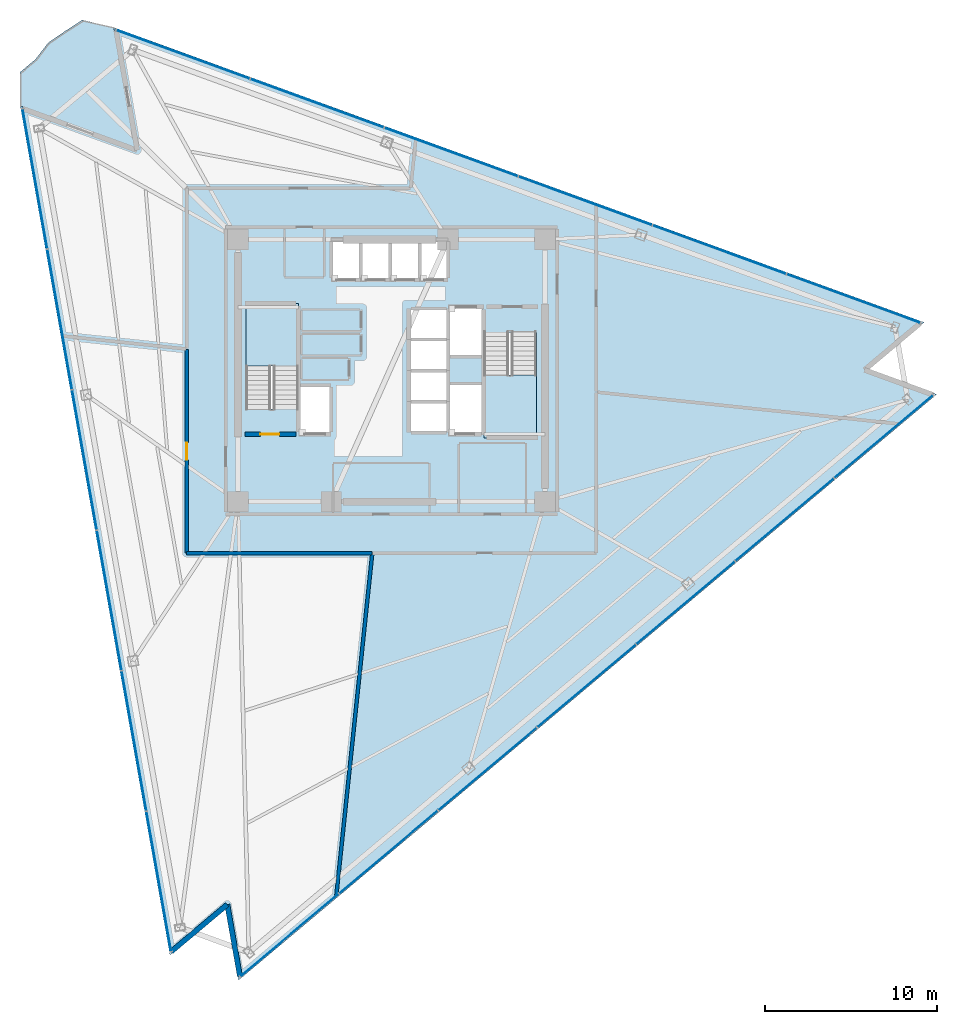
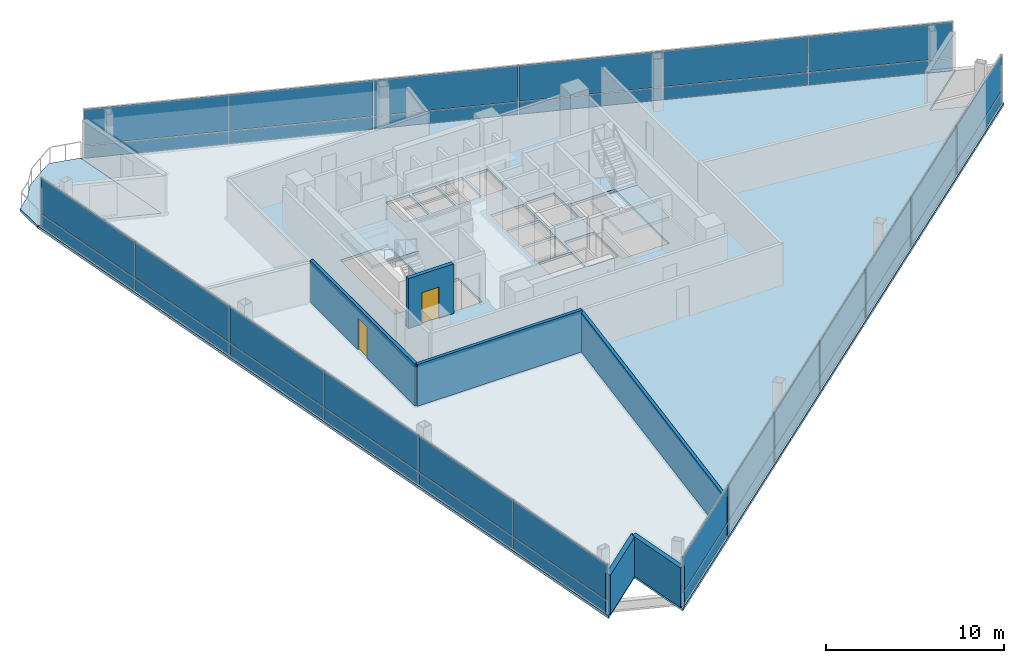
# One storey, part 9 of 17: 38 plates, 6 walls, 4 slabs, 2 doors, 2 openings, 5 elements without a shape of their own.
"""IFC4 building model written with IfcOpenShell, lengths in metres."""

from ifc_helpers import new_model, si_unit, direction, frame, frame_2d, origin, origin_2d, place, context, subcontext, project, spatial, polyline, rectangle, outline, extrude, material, layer, layer_set, type_object, element, fill, aggregate, save


model = new_model("IFC4")

# Units and contexts
model_context = context("Model", 3, precision=1e-05, world=origin(), true_north=direction((0.0, 1.0)))
body_context = subcontext(model_context, "Body", "Model", "MODEL_VIEW")
ifc_project = project(units=[si_unit("LENGTHUNIT", "METRE"), si_unit("AREAUNIT", "SQUARE_METRE"), si_unit("VOLUMEUNIT", "CUBIC_METRE"), si_unit("PLANEANGLEUNIT", "RADIAN"), si_unit("MASSUNIT", "GRAM", prefix="KILO")], contexts=[model_context])

# Site, building, storey
site_placement = place(None, origin())
site = spatial("IfcSite", under=ifc_project, at=site_placement, CompositionType="ELEMENT")
building_placement = place(site_placement, origin())
building = spatial("IfcBuilding", under=site, at=building_placement, Name="Tharavind Bronze Gate", CompositionType="ELEMENT")
storey_placement = place(building_placement, frame((0.0, 0.0, 184.89990234375)))
storey = spatial("IfcBuildingStorey", under=building, at=storey_placement, Name="L47", CompositionType="ELEMENT", Elevation=184.89990234375)

# Curtain wall, plates
ifc_material_1 = material(Name="Anodised Bronze Aluminium", Category="aluminium")
ifc_layer_1 = layer(ifc_material_1, 0.219970703125)
ifc_layer_set_1 = layer_set([ifc_layer_1], Name="Anodised Bronze Aluminium")
curtain_wall_type = type_object("IfcCurtainWallType", Name="UNITISED CURTAIN WALL MID OFFICE", PredefinedType="USERDEFINED", material=ifc_layer_set_1)
curtain_wall_1_placement = place(storey_placement, origin())
curtain_wall_1 = element("IfcCurtainWall", 1, at=curtain_wall_1_placement, inside=storey, type_object=curtain_wall_type, Name="L47 unitised curtain wall mid office CW-L47-S1", ObjectType="UNITISED CURTAIN WALL", PredefinedType="USERDEFINED")
ifc_material_2 = material(Name="Patinated Bronze Alloy Sheet", Category="bronze")
ifc_layer_2 = layer(ifc_material_2, 0.01611328125)
ifc_layer_set_2 = layer_set([ifc_layer_2], Name="Patinated Bronze Alloy Sheet")
plate_type_1 = type_object("IfcPlateType", Name="BRONZE SPANDREL CLADDING PANEL 16", PredefinedType="CURTAIN_PANEL", material=ifc_layer_set_2)
plate_1_placement = place(storey_placement, frame((-20.678466796875, 11.118408203125, 0.02685546875), z_axis=(0.0, 0.0, 1.0), x_axis=(0.173648177667, -0.984807753012, 0.0)))
plate_1 = element("IfcPlate", 2, at=plate_1_placement, type_object=plate_type_1, Name="CW-L47-S1 bronze spandrel panel 1", PredefinedType="CURTAIN_PANEL", context=body_context, shape_type="SweptSolid", body=[
    extrude(rectangle(XDim=8.220458984375, YDim=0.01611328125, at=origin_2d()), origin(), (0.0, 0.0, 1.0), 0.846923828125),
])
plate_2_placement = place(storey_placement, frame((-19.24169921875, 2.970703125, 0.02685546875), z_axis=(0.0, 0.0, 1.0), x_axis=(0.173648177667, -0.984807753012, 0.0)))
plate_2 = element("IfcPlate", 3, at=plate_2_placement, type_object=plate_type_1, Name="CW-L47-S1 bronze spandrel panel 2", PredefinedType="CURTAIN_PANEL", context=body_context, shape_type="SweptSolid", body=[
    extrude(rectangle(XDim=8.220458984375, YDim=0.01611328125, at=origin_2d()), origin(), (0.0, 0.0, 1.0), 0.846923828125),
])
plate_3_placement = place(storey_placement, frame((-17.80517578125, -5.177001953125, 0.02685546875), z_axis=(0.0, 0.0, 1.0), x_axis=(0.173648177667, -0.984807753012, 0.0)))
plate_3 = element("IfcPlate", 4, at=plate_3_placement, type_object=plate_type_1, Name="CW-L47-S1 bronze spandrel panel 3", PredefinedType="CURTAIN_PANEL", context=body_context, shape_type="SweptSolid", body=[
    extrude(rectangle(XDim=8.220458984375, YDim=0.01611328125, at=origin_2d()), origin(), (0.0, 0.0, 1.0), 0.846923828125),
])
plate_4_placement = place(storey_placement, frame((-16.368408203125, -13.32470703125, 0.02685546875), z_axis=(0.0, 0.0, 1.0), x_axis=(0.173648177667, -0.984807753012, 0.0)))
plate_4 = element("IfcPlate", 5, at=plate_4_placement, type_object=plate_type_1, Name="CW-L47-S1 bronze spandrel panel 4", PredefinedType="CURTAIN_PANEL", context=body_context, shape_type="SweptSolid", body=[
    extrude(rectangle(XDim=8.220458984375, YDim=0.01611328125, at=origin_2d()), origin(), (0.0, 0.0, 1.0), 0.846923828125),
])
plate_5_placement = place(storey_placement, frame((-14.931884765625, -21.472412109375, 0.02685546875), z_axis=(0.0, 0.0, 1.0), x_axis=(0.173648177667, -0.984807753012, 0.0)))
plate_5 = element("IfcPlate", 6, at=plate_5_placement, type_object=plate_type_1, Name="CW-L47-S1 bronze spandrel panel 5", PredefinedType="CURTAIN_PANEL", context=body_context, shape_type="SweptSolid", body=[
    extrude(rectangle(XDim=8.220458984375, YDim=0.01611328125, at=origin_2d()), origin(), (0.0, 0.0, 1.0), 0.846923828125),
])
plate_6_placement = place(storey_placement, frame((-13.4951171875, -29.6201171875, 0.02685546875), z_axis=(0.0, 0.0, 1.0), x_axis=(0.173648177667, -0.984807753012, 0.0)))
plate_6 = element("IfcPlate", 7, at=plate_6_placement, type_object=plate_type_1, Name="CW-L47-S1 bronze spandrel panel 6", PredefinedType="CURTAIN_PANEL", context=body_context, shape_type="SweptSolid", body=[
    extrude(rectangle(XDim=8.220458984375, YDim=0.01611328125, at=origin_2d()), origin(), (0.0, 0.0, 1.0), 0.846923828125),
])

curtain_wall_2_placement = place(storey_placement, origin())
curtain_wall_2 = element("IfcCurtainWall", 8, at=curtain_wall_2_placement, inside=storey, type_object=curtain_wall_type, Name="L47 unitised curtain wall mid office CW-L47-S2", ObjectType="UNITISED CURTAIN WALL", PredefinedType="USERDEFINED")
plate_7_placement = place(storey_placement, frame((-5.913818359375, -32.737548828125, 0.02685546875), z_axis=(0.0, 0.0, 1.0), x_axis=(0.766043321242, 0.642788946685, 0.0)))
plate_7 = element("IfcPlate", 9, at=plate_7_placement, type_object=plate_type_1, Name="CW-L47-S2 bronze spandrel panel 1", PredefinedType="CURTAIN_PANEL", context=body_context, shape_type="SweptSolid", body=[
    extrude(rectangle(XDim=7.443115234375, YDim=0.01611328125, at=origin_2d()), origin(), (0.0, 0.0, 1.0), 0.846923828125),
])
plate_8_placement = place(storey_placement, frame((-0.171630859375, -27.919189453125, 0.02685546875), z_axis=(0.0, 0.0, 1.0), x_axis=(0.766043321242, 0.642788946685, 0.0)))
plate_8 = element("IfcPlate", 10, at=plate_8_placement, type_object=plate_type_1, Name="CW-L47-S2 bronze spandrel panel 2", PredefinedType="CURTAIN_PANEL", context=body_context, shape_type="SweptSolid", body=[
    extrude(rectangle(XDim=7.443115234375, YDim=0.01611328125, at=origin_2d()), origin(), (0.0, 0.0, 1.0), 0.846923828125),
])
plate_9_placement = place(storey_placement, frame((5.57080078125, -23.100830078125, 0.02685546875), z_axis=(0.0, 0.0, 1.0), x_axis=(0.766043321242, 0.642788946685, 0.0)))
plate_9 = element("IfcPlate", 11, at=plate_9_placement, type_object=plate_type_1, Name="CW-L47-S2 bronze spandrel panel 3", PredefinedType="CURTAIN_PANEL", context=body_context, shape_type="SweptSolid", body=[
    extrude(rectangle(XDim=7.443115234375, YDim=0.01611328125, at=origin_2d()), origin(), (0.0, 0.0, 1.0), 0.846923828125),
])
plate_10_placement = place(storey_placement, frame((11.31298828125, -18.282470703125, 0.02685546875), z_axis=(0.0, 0.0, 1.0), x_axis=(0.766043321242, 0.642788946685, 0.0)))
plate_10 = element("IfcPlate", 12, at=plate_10_placement, type_object=plate_type_1, Name="CW-L47-S2 bronze spandrel panel 4", PredefinedType="CURTAIN_PANEL", context=body_context, shape_type="SweptSolid", body=[
    extrude(rectangle(XDim=7.443115234375, YDim=0.01611328125, at=origin_2d()), origin(), (0.0, 0.0, 1.0), 0.846923828125),
])
plate_11_placement = place(storey_placement, frame((17.055419921875, -13.464111328125, 0.02685546875), z_axis=(0.0, 0.0, 1.0), x_axis=(0.766043321242, 0.642788946685, 0.0)))
plate_11 = element("IfcPlate", 13, at=plate_11_placement, type_object=plate_type_1, Name="CW-L47-S2 bronze spandrel panel 5", PredefinedType="CURTAIN_PANEL", context=body_context, shape_type="SweptSolid", body=[
    extrude(rectangle(XDim=7.443115234375, YDim=0.01611328125, at=origin_2d()), origin(), (0.0, 0.0, 1.0), 0.846923828125),
])
plate_12_placement = place(storey_placement, frame((22.797607421875, -8.645751953125, 0.02685546875), z_axis=(0.0, 0.0, 1.0), x_axis=(0.766043321242, 0.642788946685, 0.0)))
plate_12 = element("IfcPlate", 14, at=plate_12_placement, type_object=plate_type_1, Name="CW-L47-S2 bronze spandrel panel 6", PredefinedType="CURTAIN_PANEL", context=body_context, shape_type="SweptSolid", body=[
    extrude(rectangle(XDim=7.443115234375, YDim=0.01611328125, at=origin_2d()), origin(), (0.0, 0.0, 1.0), 0.846923828125),
])
plate_13_placement = place(storey_placement, frame((28.539794921875, -3.827392578125, 0.02685546875), z_axis=(0.0, 0.0, 1.0), x_axis=(0.766043321242, 0.642788946685, 0.0)))
plate_13 = element("IfcPlate", 15, at=plate_13_placement, type_object=plate_type_1, Name="CW-L47-S2 bronze spandrel panel 7", PredefinedType="CURTAIN_PANEL", context=body_context, shape_type="SweptSolid", body=[
    extrude(rectangle(XDim=7.443115234375, YDim=0.01611328125, at=origin_2d()), origin(), (0.0, 0.0, 1.0), 0.846923828125),
])

curtain_wall_3_placement = place(storey_placement, origin())
curtain_wall_3 = element("IfcCurtainWall", 16, at=curtain_wall_3_placement, inside=storey, type_object=curtain_wall_type, Name="L47 unitised curtain wall mid office CW-L47-S3", ObjectType="UNITISED CURTAIN WALL", PredefinedType="USERDEFINED")
plate_14_placement = place(storey_placement, frame((26.7861328125, 4.18017578125, 0.02685546875), z_axis=(0.0, 0.0, 1.0), x_axis=(-0.939692023847, 0.342021783398, 0.0)))
plate_14 = element("IfcPlate", 17, at=plate_14_placement, type_object=plate_type_1, Name="CW-L47-S3 bronze spandrel panel 1", PredefinedType="CURTAIN_PANEL", context=body_context, shape_type="SweptSolid", body=[
    extrude(rectangle(XDim=8.220458984375, YDim=0.01611328125, at=origin_2d()), origin(), (0.0, 0.0, 1.0), 0.846923828125),
])
plate_15_placement = place(storey_placement, frame((19.01171875, 7.009765625, 0.02685546875), z_axis=(0.0, 0.0, 1.0), x_axis=(-0.939692023847, 0.342021783398, 0.0)))
plate_15 = element("IfcPlate", 18, at=plate_15_placement, type_object=plate_type_1, Name="CW-L47-S3 bronze spandrel panel 2", PredefinedType="CURTAIN_PANEL", context=body_context, shape_type="SweptSolid", body=[
    extrude(rectangle(XDim=8.220458984375, YDim=0.01611328125, at=origin_2d()), origin(), (0.0, 0.0, 1.0), 0.846923828125),
])
plate_16_placement = place(storey_placement, frame((11.2373046875, 9.839599609375, 0.02685546875), z_axis=(0.0, 0.0, 1.0), x_axis=(-0.939692023847, 0.342021783398, 0.0)))
plate_16 = element("IfcPlate", 19, at=plate_16_placement, type_object=plate_type_1, Name="CW-L47-S3 bronze spandrel panel 3", PredefinedType="CURTAIN_PANEL", context=body_context, shape_type="SweptSolid", body=[
    extrude(rectangle(XDim=8.220458984375, YDim=0.01611328125, at=origin_2d()), origin(), (0.0, 0.0, 1.0), 0.846923828125),
])
plate_17_placement = place(storey_placement, frame((3.462890625, 12.669189453125, 0.02685546875), z_axis=(0.0, 0.0, 1.0), x_axis=(-0.939692023847, 0.342021783398, 0.0)))
plate_17 = element("IfcPlate", 20, at=plate_17_placement, type_object=plate_type_1, Name="CW-L47-S3 bronze spandrel panel 4", PredefinedType="CURTAIN_PANEL", context=body_context, shape_type="SweptSolid", body=[
    extrude(rectangle(XDim=8.220458984375, YDim=0.01611328125, at=origin_2d()), origin(), (0.0, 0.0, 1.0), 0.846923828125),
])
plate_18_placement = place(storey_placement, frame((-4.3115234375, 15.498779296875, 0.02685546875), z_axis=(0.0, 0.0, 1.0), x_axis=(-0.939692023847, 0.342021783398, 0.0)))
plate_18 = element("IfcPlate", 21, at=plate_18_placement, type_object=plate_type_1, Name="CW-L47-S3 bronze spandrel panel 5", PredefinedType="CURTAIN_PANEL", context=body_context, shape_type="SweptSolid", body=[
    extrude(rectangle(XDim=8.220458984375, YDim=0.01611328125, at=origin_2d()), origin(), (0.0, 0.0, 1.0), 0.846923828125),
])
plate_19_placement = place(storey_placement, frame((-12.0859375, 18.32861328125, 0.02685546875), z_axis=(0.0, 0.0, 1.0), x_axis=(-0.939692023847, 0.342021783398, 0.0)))
plate_19 = element("IfcPlate", 22, at=plate_19_placement, type_object=plate_type_1, Name="CW-L47-S3 bronze spandrel panel 6", PredefinedType="CURTAIN_PANEL", context=body_context, shape_type="SweptSolid", body=[
    extrude(rectangle(XDim=8.220458984375, YDim=0.01611328125, at=origin_2d()), origin(), (0.0, 0.0, 1.0), 0.846923828125),
])

# Slab
ifc_material_3 = material(Name="Concrete C40/50", Category="concrete")
ifc_layer_3 = layer(ifc_material_3, 0.179931640625)
ifc_layer_set_3 = layer_set([ifc_layer_3], Name="Concrete C40/50")
slab_type_1 = type_object("IfcSlabType", Name="EXTERIOR BALCONY SLAB 180", PredefinedType="FLOOR", material=ifc_layer_set_3)
slab_1_placement = place(storey_placement, frame((0.0, 0.0, -0.179931640625)))
element("IfcSlab", 23, at=slab_1_placement, inside=storey, type_object=slab_type_1, Name="L47 northeast tree balcony slab", PredefinedType="FLOOR", context=body_context, shape_type="SweptSolid", body=[
    extrude(outline(polyline([(-17.92333984375, 20.325927734375), (-18.92236328125, 19.680908203125), (-19.8984375, 19.00830078125), (-20.635009765625, 18.050537109375), (-21.5390625, 17.2919921875), (-21.525390625, 15.345458984375), (-14.872314453125, 12.924072265625), (-16.101806640625, 19.896484375), (-17.92333984375, 20.325927734375)])), origin(), (0.0, 0.0, 1.0), 0.179931640625),
])

# Stair, slab
stair_type = type_object("IfcStairType", Name="CORE HALF TURN STAIR 1450", PredefinedType="HALF_TURN_STAIR", material=ifc_material_3)
stair_1_placement = place(storey_placement, origin())
stair_1 = element("IfcStair", 24, at=stair_1_placement, inside=storey, type_object=stair_type, Name="L47 Protected Exit Stair ST1", PredefinedType="HALF_TURN_STAIR")
ifc_layer_4 = layer(ifc_material_3, 0.199951171875)
ifc_layer_set_4 = layer_set([ifc_layer_4], Name="Concrete C40/50")
slab_type_2 = type_object("IfcSlabType", Name="STAIR LANDING SLAB 200", PredefinedType="LANDING", material=ifc_layer_set_4)
slab_2_placement = place(storey_placement, frame((0.0, 0.0, 1.60009765625)))
slab_2 = element("IfcSlab", 25, at=slab_2_placement, type_object=slab_type_2, Name="ST1 landing 1", PredefinedType="LANDING", context=body_context, shape_type="SweptSolid", body=[
    extrude(outline(polyline([(-5.39990234375, 0.27001953125), (-5.39990234375, 3.89990234375), (-8.449951171875, 3.89990234375), (-8.449951171875, 0.27001953125), (-5.39990234375, 0.27001953125)])), origin(), (0.0, 0.0, 1.0), 0.199951171875),
])
aggregate(stair_1, [slab_2])

stair_2_placement = place(storey_placement, origin())
stair_2 = element("IfcStair", 26, at=stair_2_placement, inside=storey, type_object=stair_type, Name="L47 Protected Exit Stair ST2", PredefinedType="HALF_TURN_STAIR")
slab_3_placement = place(storey_placement, frame((0.0, 0.0, 1.60009765625)))
slab_3 = element("IfcSlab", 27, at=slab_3_placement, type_object=slab_type_2, Name="ST2 landing 1", PredefinedType="LANDING", context=body_context, shape_type="SweptSolid", body=[
    extrude(outline(polyline([(5.35009765625, -0.27001953125), (5.35009765625, -3.89990234375), (8.39990234375, -3.89990234375), (8.39990234375, -0.27001953125), (5.35009765625, -0.27001953125)])), origin(), (0.0, 0.0, 1.0), 0.199951171875),
])
aggregate(stair_2, [slab_3])

# Slab
ifc_layer_5 = layer(ifc_material_3, 0.179931640625)
ifc_layer_set_5 = layer_set([ifc_layer_5], Name="Concrete C40/50")
slab_type_3 = type_object("IfcSlabType", Name="STRUCTURAL FLOOR SLAB 180", PredefinedType="FLOOR", material=ifc_layer_set_5)
slab_4_placement = place(storey_placement, frame((0.0, 0.0, -0.179931640625)))
element("IfcSlab", 28, at=slab_4_placement, inside=storey, type_object=slab_type_3, Name="L47 main structural floor slab", PredefinedType="FLOOR", context=body_context, shape_type="SweptSolid", body=[
    extrude(outline(polyline([(-16.101806640625, 19.896484375), (-14.872314453125, 12.924072265625), (-21.525390625, 15.345458984375), (-12.84521484375, -33.881591796875), (-9.591064453125, -31.151123046875), (-8.853515625, -35.334716796875), (31.60791015625, -1.38330078125), (27.6162109375, 0.069580078125), (30.870361328125, 2.800048828125), (-16.101806640625, 19.896484375)]), holes=[polyline([(-5.39990234375, -2.215087890625), (-5.39990234375, 3.89990234375), (-8.449951171875, 3.89990234375), (-8.449951171875, -2.215087890625), (-5.39990234375, -2.215087890625)]), polyline([(5.35009765625, 2.215087890625), (5.35009765625, -3.89990234375), (8.39990234375, -3.89990234375), (8.39990234375, 2.215087890625), (5.35009765625, 2.215087890625)]), polyline([(-3.419921875, 5.330078125), (-1.867431640625, 5.330078125), (-1.867431640625, 7.52001953125), (-3.419921875, 7.52001953125), (-3.419921875, 5.330078125)]), polyline([(-1.70751953125, 5.330078125), (-0.155029296875, 5.330078125), (-0.155029296875, 7.52001953125), (-1.70751953125, 7.52001953125), (-1.70751953125, 5.330078125)]), polyline([(0.0048828125, 5.330078125), (1.5576171875, 5.330078125), (1.5576171875, 7.52001953125), (0.0048828125, 7.52001953125), (0.0048828125, 5.330078125)]), polyline([(1.717529296875, 5.330078125), (3.199951171875, 5.330078125), (3.199951171875, 7.52001953125), (1.717529296875, 7.52001953125), (1.717529296875, 5.330078125)]), polyline([(1.080078125, -3.52001953125), (3.199951171875, -3.52001953125), (3.199951171875, -1.8798828125), (1.080078125, -1.8798828125), (1.080078125, -3.52001953125)]), polyline([(1.080078125, -1.719970703125), (3.199951171875, -1.719970703125), (3.199951171875, -0.080078125), (1.080078125, -0.080078125), (1.080078125, -1.719970703125)]), polyline([(1.080078125, 0.080078125), (3.199951171875, 0.080078125), (3.199951171875, 1.719970703125), (1.080078125, 1.719970703125), (1.080078125, 0.080078125)]), polyline([(1.080078125, 1.8798828125), (3.199951171875, 1.8798828125), (3.199951171875, 3.52001953125), (1.080078125, 3.52001953125), (1.080078125, 1.8798828125)]), polyline([(-5.320068359375, -3.6201171875), (-3.580078125, -3.6201171875), (-3.580078125, -0.929931640625), (-5.320068359375, -0.929931640625), (-5.320068359375, -3.6201171875)]), polyline([(3.360107421875, 0.8798828125), (5.27001953125, 0.8798828125), (5.27001953125, 3.6201171875), (3.360107421875, 3.6201171875), (3.360107421875, 0.8798828125)]), polyline([(3.360107421875, -3.6201171875), (5.27001953125, -3.6201171875), (5.27001953125, -0.830078125), (3.360107421875, -0.830078125), (3.360107421875, -3.6201171875)])]), origin(), (0.0, 0.0, 1.0), 0.179931640625),
])

# Plate
ifc_material_4 = material(Name="Triple Solar Control Glazing", Category="glass")
ifc_layer_6 = layer(ifc_material_4, 0.0439453125)
ifc_layer_set_6 = layer_set([ifc_layer_6], Name="Triple Solar Control Glazing")
plate_type_2 = type_object("IfcPlateType", Name="TRIPLE GLAZED FACADE PANEL 44", PredefinedType="CURTAIN_PANEL", material=ifc_layer_set_6)
plate_20_placement = place(storey_placement, frame((-20.678466796875, 11.118408203125, 0.9267578125), z_axis=(0.0, 0.0, 1.0), x_axis=(0.173648177667, -0.984807753012, 0.0)))
plate_20 = element("IfcPlate", 29, at=plate_20_placement, type_object=plate_type_2, Name="CW-L47-S1 vision glazing panel 1", PredefinedType="CURTAIN_PANEL", context=body_context, shape_type="SweptSolid", body=[
    extrude(rectangle(XDim=8.220458984375, YDim=0.0439453125, at=origin_2d()), origin(), (0.0, 0.0, 1.0), 2.467041015625),
])

plate_21_placement = place(storey_placement, frame((-19.24169921875, 2.970703125, 0.9267578125), z_axis=(0.0, 0.0, 1.0), x_axis=(0.173648177667, -0.984807753012, 0.0)))
plate_21 = element("IfcPlate", 30, at=plate_21_placement, type_object=plate_type_2, Name="CW-L47-S1 vision glazing panel 2", PredefinedType="CURTAIN_PANEL", context=body_context, shape_type="SweptSolid", body=[
    extrude(rectangle(XDim=8.220458984375, YDim=0.0439453125, at=origin_2d()), origin(), (0.0, 0.0, 1.0), 2.467041015625),
])

plate_22_placement = place(storey_placement, frame((-17.80517578125, -5.177001953125, 0.9267578125), z_axis=(0.0, 0.0, 1.0), x_axis=(0.173648177667, -0.984807753012, 0.0)))
plate_22 = element("IfcPlate", 31, at=plate_22_placement, type_object=plate_type_2, Name="CW-L47-S1 vision glazing panel 3", PredefinedType="CURTAIN_PANEL", context=body_context, shape_type="SweptSolid", body=[
    extrude(rectangle(XDim=8.220458984375, YDim=0.0439453125, at=origin_2d()), origin(), (0.0, 0.0, 1.0), 2.467041015625),
])

plate_23_placement = place(storey_placement, frame((-16.368408203125, -13.32470703125, 0.9267578125), z_axis=(0.0, 0.0, 1.0), x_axis=(0.173648177667, -0.984807753012, 0.0)))
plate_23 = element("IfcPlate", 32, at=plate_23_placement, type_object=plate_type_2, Name="CW-L47-S1 vision glazing panel 4", PredefinedType="CURTAIN_PANEL", context=body_context, shape_type="SweptSolid", body=[
    extrude(rectangle(XDim=8.220458984375, YDim=0.0439453125, at=origin_2d()), origin(), (0.0, 0.0, 1.0), 2.467041015625),
])

plate_24_placement = place(storey_placement, frame((-14.931884765625, -21.472412109375, 0.9267578125), z_axis=(0.0, 0.0, 1.0), x_axis=(0.173648177667, -0.984807753012, 0.0)))
plate_24 = element("IfcPlate", 33, at=plate_24_placement, type_object=plate_type_2, Name="CW-L47-S1 vision glazing panel 5", PredefinedType="CURTAIN_PANEL", context=body_context, shape_type="SweptSolid", body=[
    extrude(rectangle(XDim=8.220458984375, YDim=0.0439453125, at=origin_2d()), origin(), (0.0, 0.0, 1.0), 2.467041015625),
])

plate_25_placement = place(storey_placement, frame((-13.4951171875, -29.6201171875, 0.9267578125), z_axis=(0.0, 0.0, 1.0), x_axis=(0.173648177667, -0.984807753012, 0.0)))
plate_25 = element("IfcPlate", 34, at=plate_25_placement, type_object=plate_type_2, Name="CW-L47-S1 vision glazing panel 6", PredefinedType="CURTAIN_PANEL", context=body_context, shape_type="SweptSolid", body=[
    extrude(rectangle(XDim=8.220458984375, YDim=0.0439453125, at=origin_2d()), origin(), (0.0, 0.0, 1.0), 2.467041015625),
])

aggregate(curtain_wall_1, [plate_1, plate_20, plate_2, plate_21, plate_3, plate_22, plate_4, plate_23, plate_5, plate_24, plate_6, plate_25])

plate_26_placement = place(storey_placement, frame((-5.913818359375, -32.737548828125, 0.9267578125), z_axis=(0.0, 0.0, 1.0), x_axis=(0.766043321242, 0.642788946685, 0.0)))
plate_26 = element("IfcPlate", 35, at=plate_26_placement, type_object=plate_type_2, Name="CW-L47-S2 vision glazing panel 1", PredefinedType="CURTAIN_PANEL", context=body_context, shape_type="SweptSolid", body=[
    extrude(rectangle(XDim=7.443115234375, YDim=0.0439453125, at=origin_2d()), origin(), (0.0, 0.0, 1.0), 2.467041015625),
])

plate_27_placement = place(storey_placement, frame((-0.171630859375, -27.919189453125, 0.9267578125), z_axis=(0.0, 0.0, 1.0), x_axis=(0.766043321242, 0.642788946685, 0.0)))
plate_27 = element("IfcPlate", 36, at=plate_27_placement, type_object=plate_type_2, Name="CW-L47-S2 vision glazing panel 2", PredefinedType="CURTAIN_PANEL", context=body_context, shape_type="SweptSolid", body=[
    extrude(rectangle(XDim=7.443115234375, YDim=0.0439453125, at=origin_2d()), origin(), (0.0, 0.0, 1.0), 2.467041015625),
])

plate_28_placement = place(storey_placement, frame((5.57080078125, -23.100830078125, 0.9267578125), z_axis=(0.0, 0.0, 1.0), x_axis=(0.766043321242, 0.642788946685, 0.0)))
plate_28 = element("IfcPlate", 37, at=plate_28_placement, type_object=plate_type_2, Name="CW-L47-S2 vision glazing panel 3", PredefinedType="CURTAIN_PANEL", context=body_context, shape_type="SweptSolid", body=[
    extrude(rectangle(XDim=7.443115234375, YDim=0.0439453125, at=origin_2d()), origin(), (0.0, 0.0, 1.0), 2.467041015625),
])

plate_29_placement = place(storey_placement, frame((11.31298828125, -18.282470703125, 0.9267578125), z_axis=(0.0, 0.0, 1.0), x_axis=(0.766043321242, 0.642788946685, 0.0)))
plate_29 = element("IfcPlate", 38, at=plate_29_placement, type_object=plate_type_2, Name="CW-L47-S2 vision glazing panel 4", PredefinedType="CURTAIN_PANEL", context=body_context, shape_type="SweptSolid", body=[
    extrude(rectangle(XDim=7.443115234375, YDim=0.0439453125, at=origin_2d()), origin(), (0.0, 0.0, 1.0), 2.467041015625),
])

plate_30_placement = place(storey_placement, frame((17.055419921875, -13.464111328125, 0.9267578125), z_axis=(0.0, 0.0, 1.0), x_axis=(0.766043321242, 0.642788946685, 0.0)))
plate_30 = element("IfcPlate", 39, at=plate_30_placement, type_object=plate_type_2, Name="CW-L47-S2 vision glazing panel 5", PredefinedType="CURTAIN_PANEL", context=body_context, shape_type="SweptSolid", body=[
    extrude(rectangle(XDim=7.443115234375, YDim=0.0439453125, at=origin_2d()), origin(), (0.0, 0.0, 1.0), 2.467041015625),
])

plate_31_placement = place(storey_placement, frame((22.797607421875, -8.645751953125, 0.9267578125), z_axis=(0.0, 0.0, 1.0), x_axis=(0.766043321242, 0.642788946685, 0.0)))
plate_31 = element("IfcPlate", 40, at=plate_31_placement, type_object=plate_type_2, Name="CW-L47-S2 vision glazing panel 6", PredefinedType="CURTAIN_PANEL", context=body_context, shape_type="SweptSolid", body=[
    extrude(rectangle(XDim=7.443115234375, YDim=0.0439453125, at=origin_2d()), origin(), (0.0, 0.0, 1.0), 2.467041015625),
])

plate_32_placement = place(storey_placement, frame((28.539794921875, -3.827392578125, 0.9267578125), z_axis=(0.0, 0.0, 1.0), x_axis=(0.766043321242, 0.642788946685, 0.0)))
plate_32 = element("IfcPlate", 41, at=plate_32_placement, type_object=plate_type_2, Name="CW-L47-S2 vision glazing panel 7", PredefinedType="CURTAIN_PANEL", context=body_context, shape_type="SweptSolid", body=[
    extrude(rectangle(XDim=7.443115234375, YDim=0.0439453125, at=origin_2d()), origin(), (0.0, 0.0, 1.0), 2.467041015625),
])

aggregate(curtain_wall_2, [plate_7, plate_26, plate_8, plate_27, plate_9, plate_28, plate_10, plate_29, plate_11, plate_30, plate_12, plate_31, plate_13, plate_32])

plate_33_placement = place(storey_placement, frame((26.7861328125, 4.18017578125, 0.9267578125), z_axis=(0.0, 0.0, 1.0), x_axis=(-0.939692023847, 0.342021783398, 0.0)))
plate_33 = element("IfcPlate", 42, at=plate_33_placement, type_object=plate_type_2, Name="CW-L47-S3 vision glazing panel 1", PredefinedType="CURTAIN_PANEL", context=body_context, shape_type="SweptSolid", body=[
    extrude(rectangle(XDim=8.220458984375, YDim=0.0439453125, at=origin_2d()), origin(), (0.0, 0.0, 1.0), 2.467041015625),
])

plate_34_placement = place(storey_placement, frame((19.01171875, 7.009765625, 0.9267578125), z_axis=(0.0, 0.0, 1.0), x_axis=(-0.939692023847, 0.342021783398, 0.0)))
plate_34 = element("IfcPlate", 43, at=plate_34_placement, type_object=plate_type_2, Name="CW-L47-S3 vision glazing panel 2", PredefinedType="CURTAIN_PANEL", context=body_context, shape_type="SweptSolid", body=[
    extrude(rectangle(XDim=8.220458984375, YDim=0.0439453125, at=origin_2d()), origin(), (0.0, 0.0, 1.0), 2.467041015625),
])

plate_35_placement = place(storey_placement, frame((11.2373046875, 9.839599609375, 0.9267578125), z_axis=(0.0, 0.0, 1.0), x_axis=(-0.939692023847, 0.342021783398, 0.0)))
plate_35 = element("IfcPlate", 44, at=plate_35_placement, type_object=plate_type_2, Name="CW-L47-S3 vision glazing panel 3", PredefinedType="CURTAIN_PANEL", context=body_context, shape_type="SweptSolid", body=[
    extrude(rectangle(XDim=8.220458984375, YDim=0.0439453125, at=origin_2d()), origin(), (0.0, 0.0, 1.0), 2.467041015625),
])

plate_36_placement = place(storey_placement, frame((3.462890625, 12.669189453125, 0.9267578125), z_axis=(0.0, 0.0, 1.0), x_axis=(-0.939692023847, 0.342021783398, 0.0)))
plate_36 = element("IfcPlate", 45, at=plate_36_placement, type_object=plate_type_2, Name="CW-L47-S3 vision glazing panel 4", PredefinedType="CURTAIN_PANEL", context=body_context, shape_type="SweptSolid", body=[
    extrude(rectangle(XDim=8.220458984375, YDim=0.0439453125, at=origin_2d()), origin(), (0.0, 0.0, 1.0), 2.467041015625),
])

plate_37_placement = place(storey_placement, frame((-4.3115234375, 15.498779296875, 0.9267578125), z_axis=(0.0, 0.0, 1.0), x_axis=(-0.939692023847, 0.342021783398, 0.0)))
plate_37 = element("IfcPlate", 46, at=plate_37_placement, type_object=plate_type_2, Name="CW-L47-S3 vision glazing panel 5", PredefinedType="CURTAIN_PANEL", context=body_context, shape_type="SweptSolid", body=[
    extrude(rectangle(XDim=8.220458984375, YDim=0.0439453125, at=origin_2d()), origin(), (0.0, 0.0, 1.0), 2.467041015625),
])

plate_38_placement = place(storey_placement, frame((-12.0859375, 18.32861328125, 0.9267578125), z_axis=(0.0, 0.0, 1.0), x_axis=(-0.939692023847, 0.342021783398, 0.0)))
plate_38 = element("IfcPlate", 47, at=plate_38_placement, type_object=plate_type_2, Name="CW-L47-S3 vision glazing panel 6", PredefinedType="CURTAIN_PANEL", context=body_context, shape_type="SweptSolid", body=[
    extrude(rectangle(XDim=8.220458984375, YDim=0.0439453125, at=origin_2d()), origin(), (0.0, 0.0, 1.0), 2.467041015625),
])

aggregate(curtain_wall_3, [plate_14, plate_33, plate_15, plate_34, plate_16, plate_35, plate_17, plate_36, plate_18, plate_37, plate_19, plate_38])

# Walls
ifc_layer_7 = layer(ifc_material_3, 0.300048828125)
ifc_layer_set_7 = layer_set([ifc_layer_7], Name="Concrete C40/50")
wall_type_1 = type_object("IfcWallType", Name="EXTERIOR SPANDREL WALL 300", PredefinedType="STANDARD", material=ifc_layer_set_7)
for number, where, z_axis, x_axis, name in (
    (48, (-12.77685546875, -33.69384765625, 0.0), (0.0, 0.0, 1.0), (0.766026302848, 0.6428092278, 0.0), "L47 notch cheek wall 2A"),
    (49, (-9.522705078125, -30.963134765625, 0.0), (0.0, 0.0, 1.0), (0.173673864443, -0.984803223395, 0.0), "L47 notch cheek wall 2B"),
):
    element("IfcWall", number, at=place(storey_placement, frame(where, z_axis=z_axis, x_axis=x_axis)), inside=storey, type_object=wall_type_1, Name=name, PredefinedType="STANDARD", context=body_context, shape_type="SweptSolid", body=[
        extrude(rectangle(XDim=4.248046875, YDim=0.300048828125, at=frame_2d((2.1240234375, 0.0))), origin(), (0.0, 0.0, 1.0), 2.715087890625),
    ])
ifc_material_5 = material(Name="Aerated Concrete Block", Category="concrete")
ifc_layer_8 = layer(ifc_material_5, 0.199951171875)
ifc_layer_set_8 = layer_set([ifc_layer_8], Name="Aerated Concrete Block")
wall_type_2 = type_object("IfcWallType", Name="FIRE RATED PARTITION 200", PredefinedType="PARTITIONING", material=ifc_layer_set_8)
wall_1_placement = place(storey_placement, frame((-3.20166015625, -30.461669921875, 0.0), z_axis=(0.0, 0.0, 1.0), x_axis=(0.104521220875, 0.994522656548, 0.0)))
element("IfcWall", 50, at=wall_1_placement, inside=storey, type_object=wall_type_2, Name="L47 Public Restrooms Block partition", PredefinedType="PARTITIONING", context=body_context, shape_type="SweptSolid", body=[
    extrude(rectangle(XDim=19.96875, YDim=0.199951171875, at=frame_2d((9.984375, 0.0))), origin(), (0.0, 0.0, 1.0), 2.715087890625),
])
wall_2_placement = place(storey_placement, frame((-11.87939453125, -10.580078125, 0.0), z_axis=(0.0, 0.0, 1.0), x_axis=(1.0, 0.0, 0.0)))
element("IfcWall", 51, at=wall_2_placement, inside=storey, type_object=wall_type_2, Name="L47 Media Production Office partition", PredefinedType="PARTITIONING", context=body_context, shape_type="SweptSolid", body=[
    extrude(rectangle(XDim=10.739501953125, YDim=0.199951171875, at=frame_2d((5.36962890625, 0.0))), origin(), (0.0, 0.0, 1.0), 2.864990234375),
])

# Wall, opening, door
wall_3_placement = place(storey_placement, frame((-11.8798828125, 1.22607421875, 0.0), z_axis=(0.0, 0.0, 1.0), x_axis=(0.0, -1.0, 0.0)))
wall_3 = element("IfcWall", 52, at=wall_3_placement, inside=storey, type_object=wall_type_2, Name="L47 Media Production Office partition", PredefinedType="PARTITIONING", context=body_context, shape_type="SweptSolid", body=[
    extrude(rectangle(XDim=11.805419921875, YDim=0.199951171875, at=frame_2d((5.90283203125, 0.0))), origin(), (0.0, 0.0, 1.0), 2.864990234375),
])
opening_1_placement = place(wall_3_placement, frame((5.403076171875, 0.0, 0.0)))
opening_1 = element("IfcOpeningElement", 53, at=opening_1_placement, cuts=wall_3, Name="Opening ID04", PredefinedType="OPENING", context=body_context, shape_type="SweptSolid", body=[
    extrude(rectangle(XDim=1.0, YDim=2.14990234375, at=frame_2d((0.5, 1.074951171875))), frame((0.0, 0.11009765625, 0.0), z_axis=(0.0, -1.0, 0.0), x_axis=(1.0, 0.0, 0.0)), (0.0, 0.0, 1.0), 0.219951171875),
])
ifc_material_6 = material(Name="Bronze Framed Acoustic Timber", Category="wood")
door_type_1 = type_object("IfcDoorType", Name="OFFICE TENANCY DOOR 1000X2150", OperationType="SINGLE_SWING_RIGHT", PredefinedType="DOOR", material=ifc_material_6)
door_1_placement = place(opening_1_placement, origin())
door_1 = element("IfcDoor", 54, at=door_1_placement, inside=storey, type_object=door_type_1, Name="L47 Media Production Office door", OperationType="SINGLE_SWING_RIGHT", OverallHeight=2.14990234375, OverallWidth=1.0, PredefinedType="DOOR", context=body_context, shape_type="SweptSolid", body=[
    extrude(rectangle(XDim=1.0, YDim=2.14990234375, at=frame_2d((0.5, 1.074951171875))), frame((0.0, 0.02490234375, 0.0), z_axis=(0.0, -1.0, 0.0), x_axis=(1.0, 0.0, 0.0)), (0.0, 0.0, 1.0), 0.050048828125),
])
fill(opening_1, door_1)

ifc_material_7 = material(Name="Concrete C50/60", Category="concrete")
ifc_layer_9 = layer(ifc_material_7, 0.25)
ifc_layer_set_9 = layer_set([ifc_layer_9], Name="Concrete C50/60")
wall_type_3 = type_object("IfcWallType", Name="RC CORE SHEAR WALL 250", PredefinedType="SHEAR", material=ifc_layer_set_9)
wall_4_placement = place(storey_placement, frame((-8.5, -3.699951171875, 0.0), z_axis=(0.0, 0.0, 1.0), x_axis=(1.0, 0.0, 0.0)))
wall_4 = element("IfcWall", 55, at=wall_4_placement, inside=storey, type_object=wall_type_3, Name="L47 ST1 shaft south wall", PredefinedType="SHEAR", context=body_context, shape_type="SweptSolid", body=[
    extrude(rectangle(XDim=2.949951171875, YDim=0.25, at=frame_2d((1.47509765625, 0.0))), origin(), (0.0, 0.0, 1.0), 3.420166015625),
])
opening_2_placement = place(wall_4_placement, frame((0.89990234375, 0.0, 0.0)))
opening_2 = element("IfcOpeningElement", 56, at=opening_2_placement, cuts=wall_4, Name="Opening ID01", PredefinedType="OPENING", context=body_context, shape_type="SweptSolid", body=[
    extrude(rectangle(XDim=1.10009765625, YDim=2.14990234375, at=frame_2d((0.550048828125, 1.074951171875))), frame((0.0, 0.135, 0.0), z_axis=(0.0, -1.0, 0.0), x_axis=(1.0, 0.0, 0.0)), (0.0, 0.0, 1.0), 0.27),
])
ifc_material_8 = material(Name="Fire-Rated Steel", Category="steel")
door_type_2 = type_object("IfcDoorType", Name="STAIR CORE FIRE DOOR 1100X2150", OperationType="SINGLE_SWING_LEFT", PredefinedType="DOOR", material=ifc_material_8)
door_2_placement = place(opening_2_placement, origin())
door_2 = element("IfcDoor", 57, at=door_2_placement, inside=storey, type_object=door_type_2, Name="L47 exit stair ST1 fire door", OperationType="SINGLE_SWING_LEFT", OverallHeight=2.14990234375, OverallWidth=1.10009765625, PredefinedType="DOOR", context=body_context, shape_type="SweptSolid", body=[
    extrude(rectangle(XDim=1.10009765625, YDim=2.14990234375, at=frame_2d((0.550048828125, 1.074951171875))), frame((0.0, 0.02490234375, 0.0), z_axis=(0.0, -1.0, 0.0), x_axis=(1.0, 0.0, 0.0)), (0.0, 0.0, 1.0), 0.050048828125),
])
fill(opening_2, door_2)

save(model, "model.ifc")
